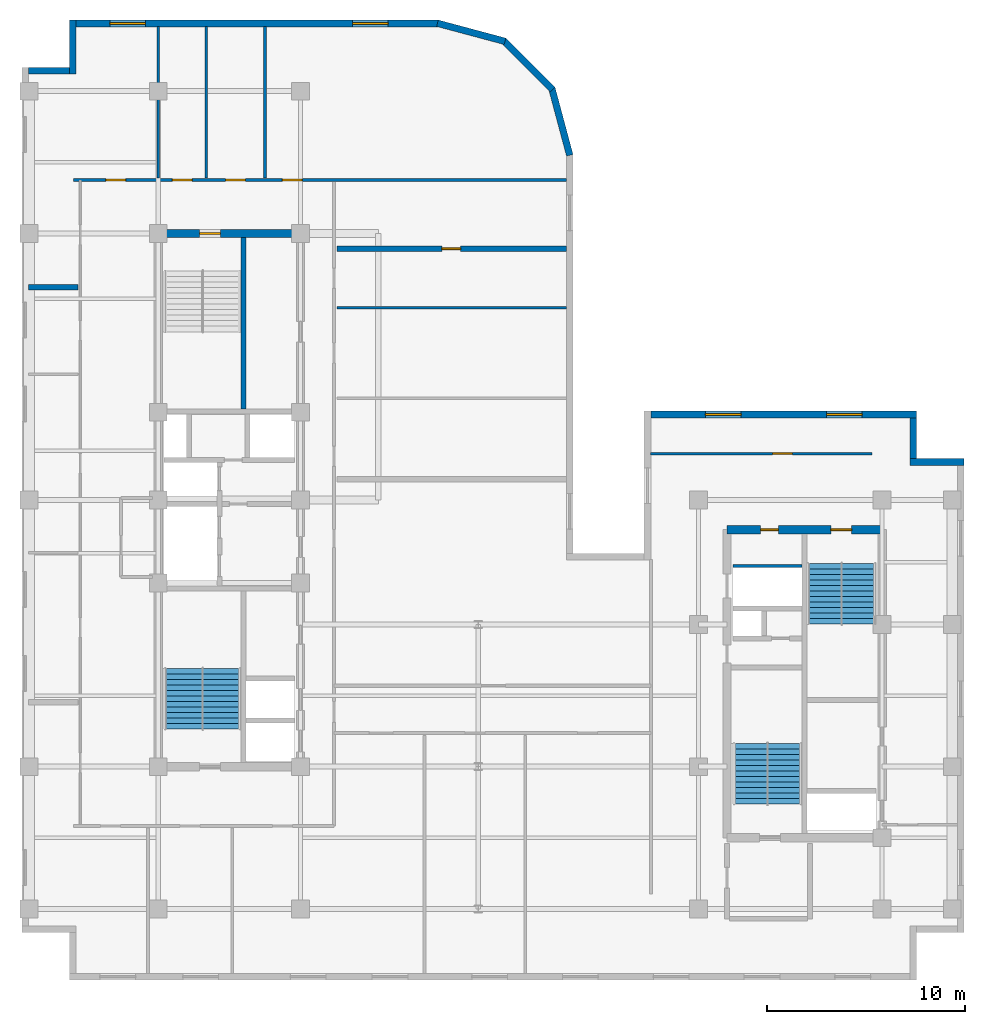
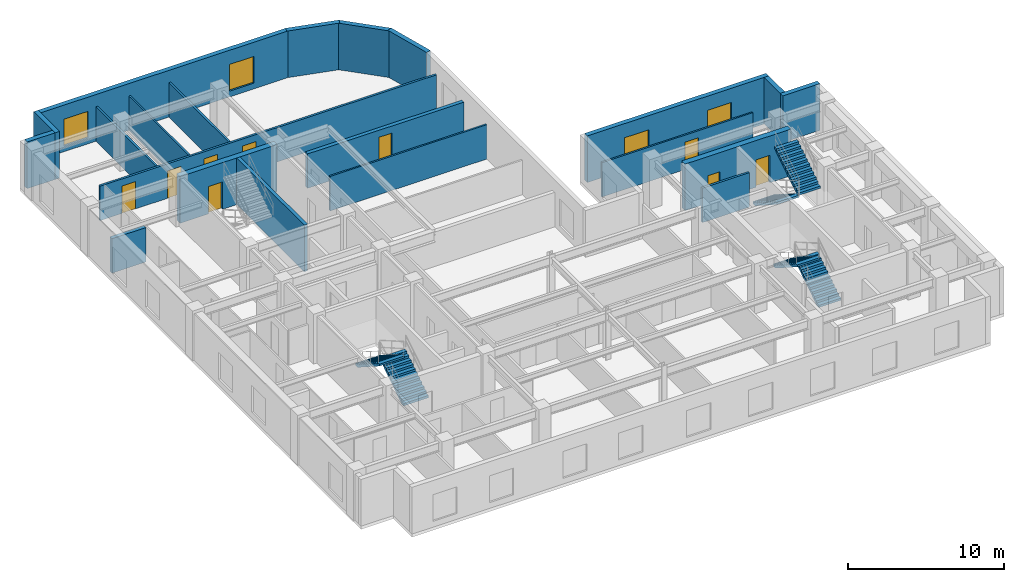
# One storey, part 6 of 10: 21 walls, 9 doors, 6 stair flights, 4 windows, 13 openings, 3 elements without a shape of their own.
"""IFC4 building model written with IfcOpenShell, lengths in metres."""

from ifc_helpers import new_model, entity, si_unit, converted_unit, direction, frame, origin_with_axes, origin_2d_with_axis, place, context, subcontext, project, spatial, polyline, rectangle, outline, extrude, material, layer, layer_set, type_object, element, fill, aggregate, save


model = new_model("IFC4")

# Units and contexts
model_context = context("Model", 3, precision=1e-05, world=origin_with_axes(), true_north=direction((0.0, 1.0)))
body_context = subcontext(model_context, "Body", "Model", "MODEL_VIEW")
ifc_project = project(units=[si_unit("LENGTHUNIT", "METRE"), si_unit("AREAUNIT", "SQUARE_METRE"), si_unit("VOLUMEUNIT", "CUBIC_METRE"), converted_unit("PLANEANGLEUNIT", "DEGREE", entity("IfcPlaneAngleMeasure", 0.017453292519943295), si_unit("PLANEANGLEUNIT", "RADIAN"), dimensions=[0, 0, 0, 0, 0, 0, 0]), si_unit("MASSUNIT", "GRAM", prefix="KILO"), si_unit("THERMODYNAMICTEMPERATUREUNIT", "KELVIN")], contexts=[model_context])

# Site, building, storey
site_placement = place(None, origin_with_axes())
site = spatial("IfcSite", under=ifc_project, at=site_placement, CompositionType="ELEMENT")
building_placement = place(site_placement, origin_with_axes())
building = spatial("IfcBuilding", under=site, at=building_placement, Name="Varnlund Millrace Tower", CompositionType="ELEMENT")
storey_placement = place(building_placement, frame((0.0, 0.0, 232.5), z_axis=(0.0, 0.0, 1.0), x_axis=(1.0, 0.0, 0.0)))
storey = spatial("IfcBuildingStorey", under=building, at=storey_placement, Name="L57", CompositionType="ELEMENT", Elevation=232.5)

# Wall, opening, door
ifc_material_1 = material(Name="Concrete C60/75", Category="concrete")
ifc_layer_1 = layer(ifc_material_1, 0.42, Name="Concrete C60/75")
ifc_layer_set_1 = layer_set([ifc_layer_1], Name="Concrete C60/75")
wall_type_1 = type_object("IfcWallType", Name="Type-CoreWall-Shear-420-C60", PredefinedType="SHEAR", material=ifc_layer_set_1)
wall_1_placement = place(storey_placement, frame((11.4, 37.8, 0.0), z_axis=(0.0, 0.0, 1.0), x_axis=(1.0, 0.0, 0.0)))
wall_1 = element("IfcWall", 1, at=wall_1_placement, inside=storey, type_object=wall_type_1, Name="Type-CoreWall-Shear-420-C60", PredefinedType="SHEAR", context=body_context, shape_type="SweptSolid", body=[
    extrude(outline(polyline([(0.0, -0.21), (7.2, -0.21), (7.2, 0.21), (0.0, 0.21), (0.0, -0.21)])), origin_with_axes(), (0.0, 0.0, 1.0), 3.66),
])
opening_1_placement = place(wall_1_placement, frame((2.625, 0.0, 0.0), z_axis=(0.0, 0.0, 1.0), x_axis=(1.0, 0.0, 0.0)))
opening_1 = element("IfcOpeningElement", 2, at=opening_1_placement, cuts=wall_1, Name="Opening L57:DR-STA2", PredefinedType="OPENING", context=body_context, shape_type="SweptSolid", body=[
    extrude(rectangle(XDim=1.05, YDim=0.44, at=origin_2d_with_axis()), origin_with_axes(), (0.0, 0.0, 1.0), 2.15),
])
ifc_material_2 = material(Name="Fire-rated hollow steel door", Category="steel")
door_type_1 = type_object("IfcDoorType", Name="Type-FireDoor-Stair-1050X2150", OperationType="NOTDEFINED", PredefinedType="DOOR", material=ifc_material_2)
door_1_placement = place(wall_1_placement, frame((2.625, 0.0, 0.0), z_axis=(0.0, 0.0, 1.0), x_axis=(1.0, 0.0, 0.0)))
door_1 = element("IfcDoor", 3, at=door_1_placement, inside=storey, type_object=door_type_1, Name="Type-FireDoor-Stair-1050X2150", OperationType="SINGLE_SWING_RIGHT", OverallHeight=2.15, OverallWidth=1.05, PredefinedType="DOOR", context=body_context, shape_type="SweptSolid", body=[
    extrude(rectangle(XDim=1.05, YDim=0.09, at=origin_2d_with_axis()), origin_with_axes(), (0.0, 0.0, 1.0), 2.15),
])
fill(opening_1, door_1)

# Wall, openings, doors
wall_2_placement = place(storey_placement, frame((40.2, 22.8, 0.0), z_axis=(0.0, 0.0, 1.0), x_axis=(1.0, 0.0, 0.0)))
wall_2 = element("IfcWall", 4, at=wall_2_placement, inside=storey, type_object=wall_type_1, Name="Type-CoreWall-Shear-420-C60", PredefinedType="SHEAR", context=body_context, shape_type="SweptSolid", body=[
    extrude(outline(polyline([(0.0, -0.21), (7.85, -0.21), (7.85, 0.21), (0.0, 0.21), (0.0, -0.21)])), origin_with_axes(), (0.0, 0.0, 1.0), 3.66),
])
opening_2_placement = place(wall_2_placement, frame((5.775, 0.0, 0.0), z_axis=(0.0, 0.0, 1.0), x_axis=(1.0, 0.0, 0.0)))
opening_2 = element("IfcOpeningElement", 5, at=opening_2_placement, cuts=wall_2, Name="Opening L57:DR-STB2", PredefinedType="OPENING", context=body_context, shape_type="SweptSolid", body=[
    extrude(rectangle(XDim=1.05, YDim=0.44, at=origin_2d_with_axis()), origin_with_axes(), (0.0, 0.0, 1.0), 2.15),
])
opening_3_placement = place(wall_2_placement, frame((2.15, 0.0, 0.0), z_axis=(0.0, 0.0, 1.0), x_axis=(1.0, 0.0, 0.0)))
opening_3 = element("IfcOpeningElement", 6, at=opening_3_placement, cuts=wall_2, Name="Opening L57:DR-CB-NW", PredefinedType="OPENING", context=body_context, shape_type="SweptSolid", body=[
    extrude(rectangle(XDim=0.9, YDim=0.44, at=origin_2d_with_axis()), origin_with_axes(), (0.0, 0.0, 1.0), 2.15),
])
ifc_material_3 = material(Name="Fire-rated hollow steel service closet door", Category="steel")
door_type_2 = type_object("IfcDoorType", Name="Type-FireDoor-Closet-900X2150", OperationType="NOTDEFINED", PredefinedType="DOOR", material=ifc_material_3)
door_2_placement = place(wall_2_placement, frame((2.15, 0.0, 0.0), z_axis=(0.0, 0.0, 1.0), x_axis=(1.0, 0.0, 0.0)))
door_2 = element("IfcDoor", 7, at=door_2_placement, inside=storey, type_object=door_type_2, Name="Type-FireDoor-Closet-900X2150", OperationType="SINGLE_SWING_LEFT", OverallHeight=2.15, OverallWidth=0.9, PredefinedType="DOOR", context=body_context, shape_type="SweptSolid", body=[
    extrude(rectangle(XDim=0.9, YDim=0.09, at=origin_2d_with_axis()), origin_with_axes(), (0.0, 0.0, 1.0), 2.15),
])
fill(opening_3, door_2)
door_3_placement = place(wall_2_placement, frame((5.775, 0.0, 0.0), z_axis=(0.0, 0.0, 1.0), x_axis=(1.0, 0.0, 0.0)))
door_3 = element("IfcDoor", 8, at=door_3_placement, inside=storey, type_object=door_type_1, Name="Type-FireDoor-Stair-1050X2150", OperationType="SINGLE_SWING_RIGHT", OverallHeight=2.15, OverallWidth=1.05, PredefinedType="DOOR", context=body_context, shape_type="SweptSolid", body=[
    extrude(rectangle(XDim=1.05, YDim=0.09, at=origin_2d_with_axis()), origin_with_axes(), (0.0, 0.0, 1.0), 2.15),
])
fill(opening_2, door_3)

# Wall, openings, windows
ifc_material_4 = material(Name="Precast concrete C50/60", Category="concrete")
ifc_layer_2 = layer(ifc_material_4, 0.34, Name="Precast concrete C50/60")
ifc_layer_set_2 = layer_set([ifc_layer_2], Name="Precast concrete C50/60")
wall_type_2 = type_object("IfcWallType", Name="Type-ExtWall-Precast-Upper-340", PredefinedType="SOLIDWALL", material=ifc_layer_set_2)
wall_3_placement = place(storey_placement, frame((36.34, 28.63, 0.0), z_axis=(0.0, 0.0, 1.0), x_axis=(1.0, 0.0, 0.0)))
wall_3 = element("IfcWall", 9, at=wall_3_placement, inside=storey, type_object=wall_type_2, Name="Type-ExtWall-Precast-Upper-340", PredefinedType="SOLIDWALL", context=body_context, shape_type="SweptSolid", body=[
    extrude(outline(polyline([(0.0, -0.17), (13.46, -0.17), (13.46, 0.17), (0.0, 0.17), (0.0, -0.17)])), origin_with_axes(), (0.0, 0.0, 1.0), 3.66),
])
opening_4_placement = place(wall_3_placement, frame((3.665, 0.0, 0.45), z_axis=(0.0, 0.0, 1.0), x_axis=(1.0, 0.0, 0.0)))
opening_4 = element("IfcOpeningElement", 10, at=opening_4_placement, cuts=wall_3, Name="Opening L57:WN-02", PredefinedType="OPENING", context=body_context, shape_type="SweptSolid", body=[
    extrude(rectangle(XDim=1.8, YDim=0.36, at=origin_2d_with_axis()), origin_with_axes(), (0.0, 0.0, 1.0), 2.1),
])
opening_5_placement = place(wall_3_placement, frame((9.795, 0.0, 0.45), z_axis=(0.0, 0.0, 1.0), x_axis=(1.0, 0.0, 0.0)))
opening_5 = element("IfcOpeningElement", 11, at=opening_5_placement, cuts=wall_3, Name="Opening L57:WN-03", PredefinedType="OPENING", context=body_context, shape_type="SweptSolid", body=[
    extrude(rectangle(XDim=1.8, YDim=0.36, at=origin_2d_with_axis()), origin_with_axes(), (0.0, 0.0, 1.0), 2.1),
])
ifc_material_5 = material(Name="Argon low-e triple glazing in thermally broken bronze frame", Category="glass")
window_type = type_object("IfcWindowType", Name="Type-Window-Punched-1800X2100", PartitioningType="SINGLE_PANEL", PredefinedType="WINDOW", material=ifc_material_5)
window_1_placement = place(wall_3_placement, frame((3.665, 0.0, 0.45), z_axis=(0.0, 0.0, 1.0), x_axis=(1.0, 0.0, 0.0)))
window_1 = element("IfcWindow", 12, at=window_1_placement, inside=storey, type_object=window_type, Name="Type-Window-Punched-1800X2100", OverallHeight=2.1, OverallWidth=1.8, PredefinedType="WINDOW", context=body_context, shape_type="SweptSolid", body=[
    extrude(rectangle(XDim=1.8, YDim=0.09, at=origin_2d_with_axis()), origin_with_axes(), (0.0, 0.0, 1.0), 2.1),
])
fill(opening_4, window_1)
window_2_placement = place(wall_3_placement, frame((9.795, 0.0, 0.45), z_axis=(0.0, 0.0, 1.0), x_axis=(1.0, 0.0, 0.0)))
window_2 = element("IfcWindow", 13, at=window_2_placement, inside=storey, type_object=window_type, Name="Type-Window-Punched-1800X2100", OverallHeight=2.1, OverallWidth=1.8, PredefinedType="WINDOW", context=body_context, shape_type="SweptSolid", body=[
    extrude(rectangle(XDim=1.8, YDim=0.09, at=origin_2d_with_axis()), origin_with_axes(), (0.0, 0.0, 1.0), 2.1),
])
fill(opening_5, window_2)

# Walls
wall_4_placement = place(storey_placement, frame((49.63, 28.46, 0.0), z_axis=(0.0, 0.0, 1.0), x_axis=(0.0, -1.0, 0.0)))
element("IfcWall", 14, at=wall_4_placement, inside=storey, type_object=wall_type_2, Name="Type-ExtWall-Precast-Upper-340", PredefinedType="SOLIDWALL", context=body_context, shape_type="SweptSolid", body=[
    extrude(outline(polyline([(0.0, -0.17), (2.06, -0.17), (2.06, 0.17), (0.0, 0.17), (0.0, -0.17)])), origin_with_axes(), (0.0, 0.0, 1.0), 3.66),
])
wall_5_placement = place(storey_placement, frame((49.46, 26.23, 0.0), z_axis=(0.0, 0.0, 1.0), x_axis=(1.0, 0.0, 0.0)))
element("IfcWall", 15, at=wall_5_placement, inside=storey, type_object=wall_type_2, Name="Type-ExtWall-Precast-Upper-340", PredefinedType="SOLIDWALL", context=body_context, shape_type="SweptSolid", body=[
    extrude(outline(polyline([(0.0, -0.17), (2.74, -0.17), (2.74, 0.17), (0.0, 0.17), (0.0, -0.17)])), origin_with_axes(), (0.0, 0.0, 1.0), 3.66),
])
wall_6_placement = place(storey_placement, frame((4.84, 46.03, 0.0), z_axis=(0.0, 0.0, 1.0), x_axis=(1.0, 0.0, 0.0)))
element("IfcWall", 16, at=wall_6_placement, inside=storey, type_object=wall_type_2, Name="Type-ExtWall-Precast-Upper-340", PredefinedType="SOLIDWALL", context=body_context, shape_type="SweptSolid", body=[
    extrude(outline(polyline([(0.0, -0.17), (2.06, -0.17), (2.06, 0.17), (0.0, 0.17), (0.0, -0.17)])), origin_with_axes(), (0.0, 0.0, 1.0), 3.66),
])
wall_7_placement = place(storey_placement, frame((7.07, 45.86, 0.0), z_axis=(0.0, 0.0, 1.0), x_axis=(0.0, 1.0, 0.0)))
element("IfcWall", 17, at=wall_7_placement, inside=storey, type_object=wall_type_2, Name="Type-ExtWall-Precast-Upper-340", PredefinedType="SOLIDWALL", context=body_context, shape_type="SweptSolid", body=[
    extrude(outline(polyline([(0.0, -0.17), (2.74, -0.17), (2.74, 0.17), (0.0, 0.17), (0.0, -0.17)])), origin_with_axes(), (0.0, 0.0, 1.0), 3.66),
])

# Wall, openings, windows
wall_8_placement = place(storey_placement, frame((7.24, 48.43, 0.0), z_axis=(0.0, 0.0, 1.0), x_axis=(1.0, 0.0, 0.0)))
wall_8 = element("IfcWall", 18, at=wall_8_placement, inside=storey, type_object=wall_type_2, Name="Type-ExtWall-Precast-Upper-340", PredefinedType="SOLIDWALL", context=body_context, shape_type="SweptSolid", body=[
    extrude(outline(polyline([(0.0, -0.17), (18.36, -0.17), (18.36, 0.17), (0.0, 0.17), (0.0, -0.17)])), origin_with_axes(), (0.0, 0.0, 1.0), 3.66),
])
opening_6_placement = place(wall_8_placement, frame((2.61, 0.0, 0.45), z_axis=(0.0, 0.0, 1.0), x_axis=(1.0, 0.0, 0.0)))
opening_6 = element("IfcOpeningElement", 19, at=opening_6_placement, cuts=wall_8, Name="Opening L57:WN-22", PredefinedType="OPENING", context=body_context, shape_type="SweptSolid", body=[
    extrude(rectangle(XDim=1.8, YDim=0.36, at=origin_2d_with_axis()), origin_with_axes(), (0.0, 0.0, 1.0), 2.1),
])
opening_7_placement = place(wall_8_placement, frame((14.9, 0.0, 0.45), z_axis=(0.0, 0.0, 1.0), x_axis=(1.0, 0.0, 0.0)))
opening_7 = element("IfcOpeningElement", 20, at=opening_7_placement, cuts=wall_8, Name="Opening L57:WN-23", PredefinedType="OPENING", context=body_context, shape_type="SweptSolid", body=[
    extrude(rectangle(XDim=1.8, YDim=0.36, at=origin_2d_with_axis()), origin_with_axes(), (0.0, 0.0, 1.0), 2.1),
])
window_3_placement = place(wall_8_placement, frame((2.61, 0.0, 0.45), z_axis=(0.0, 0.0, 1.0), x_axis=(1.0, 0.0, 0.0)))
window_3 = element("IfcWindow", 21, at=window_3_placement, inside=storey, type_object=window_type, Name="Type-Window-Punched-1800X2100", OverallHeight=2.1, OverallWidth=1.8, PredefinedType="WINDOW", context=body_context, shape_type="SweptSolid", body=[
    extrude(rectangle(XDim=1.8, YDim=0.09, at=origin_2d_with_axis()), origin_with_axes(), (0.0, 0.0, 1.0), 2.1),
])
fill(opening_6, window_3)
window_4_placement = place(wall_8_placement, frame((14.9, 0.0, 0.45), z_axis=(0.0, 0.0, 1.0), x_axis=(1.0, 0.0, 0.0)))
window_4 = element("IfcWindow", 22, at=window_4_placement, inside=storey, type_object=window_type, Name="Type-Window-Punched-1800X2100", OverallHeight=2.1, OverallWidth=1.8, PredefinedType="WINDOW", context=body_context, shape_type="SweptSolid", body=[
    extrude(rectangle(XDim=1.8, YDim=0.09, at=origin_2d_with_axis()), origin_with_axes(), (0.0, 0.0, 1.0), 2.1),
])
fill(opening_7, window_4)

# Walls
wall_9_placement = place(storey_placement, frame((25.537, 48.441, 0.0), z_axis=(0.0, 0.0, 1.0), x_axis=(0.965934, -0.258788, 0.0)))
element("IfcWall", 23, at=wall_9_placement, inside=storey, type_object=wall_type_2, Name="Type-ExtWall-Precast-Upper-340", PredefinedType="SOLIDWALL", context=body_context, shape_type="SweptSolid", body=[
    extrude(outline(polyline([(0.0, -0.17), (3.539579, -0.17), (3.539579, 0.17), (0.0, 0.17), (0.0, -0.17)])), origin_with_axes(), (0.0, 0.0, 1.0), 3.66),
])
wall_10_placement = place(storey_placement, frame((28.866, 47.583, 0.0), z_axis=(0.0, 0.0, 1.0), x_axis=(0.707107, -0.707107, 0.0)))
element("IfcWall", 24, at=wall_10_placement, inside=storey, type_object=wall_type_2, Name="Type-ExtWall-Precast-Upper-340", PredefinedType="SOLIDWALL", context=body_context, shape_type="SweptSolid", body=[
    extrude(outline(polyline([(0.0, -0.17), (3.539777, -0.17), (3.539777, 0.17), (0.0, 0.17), (0.0, -0.17)])), origin_with_axes(), (0.0, 0.0, 1.0), 3.66),
])
wall_11_placement = place(storey_placement, frame((31.32, 45.175, 0.0), z_axis=(0.0, 0.0, 1.0), x_axis=(0.258788, -0.965934, 0.0)))
element("IfcWall", 25, at=wall_11_placement, inside=storey, type_object=wall_type_2, Name="Type-ExtWall-Precast-Upper-340", PredefinedType="SOLIDWALL", context=body_context, shape_type="SweptSolid", body=[
    extrude(outline(polyline([(0.0, -0.17), (3.539579, -0.17), (3.539579, 0.17), (0.0, 0.17), (0.0, -0.17)])), origin_with_axes(), (0.0, 0.0, 1.0), 3.66),
])
ifc_material_6 = material(Name="Double-stud STC-60 conference acoustic partition", Category="gypsum")
ifc_layer_3 = layer(ifc_material_6, 0.28, Name="Double-stud STC-60 conference acoustic partition")
ifc_layer_set_3 = layer_set([ifc_layer_3], Name="Double-stud STC-60 conference acoustic partition")
wall_type_3 = type_object("IfcWallType", Name="Type-Partition-Acoustic-280", PredefinedType="PARTITIONING", material=ifc_layer_set_3)
wall_12_placement = place(storey_placement, frame((4.835, 35.082, 0.0), z_axis=(0.0, 0.0, 1.0), x_axis=(1.0, 0.0, 0.0)))
element("IfcWall", 26, at=wall_12_placement, inside=storey, type_object=wall_type_3, Name="Type-Partition-Acoustic-280", PredefinedType="PARTITIONING", context=body_context, shape_type="SweptSolid", body=[
    extrude(outline(polyline([(0.0, -0.14), (2.495, -0.14), (2.495, 0.14), (0.0, 0.14), (0.0, -0.14)])), origin_with_axes(), (0.0, 0.0, 1.0), 2.7),
])

# Wall, opening, door
wall_13_placement = place(storey_placement, frame((20.45, 37.028, 0.0), z_axis=(0.0, 0.0, 1.0), x_axis=(1.0, 0.0, 0.0)))
wall_13 = element("IfcWall", 27, at=wall_13_placement, inside=storey, type_object=wall_type_3, Name="Type-Partition-Acoustic-280", PredefinedType="PARTITIONING", context=body_context, shape_type="SweptSolid", body=[
    extrude(outline(polyline([(0.0, -0.14), (11.615, -0.14), (11.615, 0.14), (0.0, 0.14), (0.0, -0.14)])), origin_with_axes(), (0.0, 0.0, 1.0), 2.7),
])
opening_8_placement = place(wall_13_placement, frame((5.785, 0.0, 0.0), z_axis=(0.0, 0.0, 1.0), x_axis=(1.0, 0.0, 0.0)))
opening_8 = element("IfcOpeningElement", 28, at=opening_8_placement, cuts=wall_13, Name="Opening L57:DR-FLR-05", PredefinedType="OPENING", context=body_context, shape_type="SweptSolid", body=[
    extrude(rectangle(XDim=0.95, YDim=0.3, at=origin_2d_with_axis()), origin_with_axes(), (0.0, 0.0, 1.0), 2.15),
])
ifc_material_7 = material(Name="Solid-core acoustic office door")
door_type_3 = type_object("IfcDoorType", Name="Type-IntDoor-Tenant-950X2150", OperationType="NOTDEFINED", PredefinedType="DOOR", material=ifc_material_7)
door_4_placement = place(wall_13_placement, frame((5.785, 0.0, 0.0), z_axis=(0.0, 0.0, 1.0), x_axis=(1.0, 0.0, 0.0)))
door_4 = element("IfcDoor", 29, at=door_4_placement, inside=storey, type_object=door_type_3, Name="Type-IntDoor-Tenant-950X2150", OperationType="SINGLE_SWING_LEFT", OverallHeight=2.15, OverallWidth=0.95, PredefinedType="DOOR", context=body_context, shape_type="SweptSolid", body=[
    extrude(rectangle(XDim=0.95, YDim=0.09, at=origin_2d_with_axis()), origin_with_axes(), (0.0, 0.0, 1.0), 2.15),
])
fill(opening_8, door_4)

# Wall
ifc_material_8 = material(Name="Fire-rated gypsum board on cold-formed steel framing", Category="steel")
ifc_layer_4 = layer(ifc_material_8, 0.16, Name="Fire-rated gypsum board on cold-formed steel framing")
ifc_layer_set_4 = layer_set([ifc_layer_4], Name="Fire-rated gypsum board on cold-formed steel framing")
wall_type_4 = type_object("IfcWallType", Name="Type-Partition-Corridor-160", PredefinedType="PARTITIONING", material=ifc_layer_set_4)
wall_14_placement = place(storey_placement, frame((40.5, 20.96, 0.0), z_axis=(0.0, 0.0, 1.0), x_axis=(1.0, 0.0, 0.0)))
element("IfcWall", 30, at=wall_14_placement, inside=storey, type_object=wall_type_4, Name="Type-Partition-Corridor-160", PredefinedType="PARTITIONING", context=body_context, shape_type="SweptSolid", body=[
    extrude(outline(polyline([(0.0, -0.08), (3.5, -0.08), (3.5, 0.08), (0.0, 0.08), (0.0, -0.08)])), origin_with_axes(), (0.0, 0.0, 1.0), 2.7),
])

# Wall, openings, doors
wall_15_placement = place(storey_placement, frame((7.1, 40.5, 0.0), z_axis=(0.0, 0.0, 1.0), x_axis=(1.0, 0.0, 0.0)))
wall_15 = element("IfcWall", 31, at=wall_15_placement, inside=storey, type_object=wall_type_4, Name="Type-Partition-Corridor-160", PredefinedType="PARTITIONING", context=body_context, shape_type="SweptSolid", body=[
    extrude(outline(polyline([(0.0, -0.08), (24.965, -0.08), (24.965, 0.08), (0.0, 0.08), (0.0, -0.08)])), origin_with_axes(), (0.0, 0.0, 1.0), 2.7),
])
opening_9_placement = place(wall_15_placement, frame((2.145, 0.0, 0.0), z_axis=(0.0, 0.0, 1.0), x_axis=(1.0, 0.0, 0.0)))
opening_9 = element("IfcOpeningElement", 32, at=opening_9_placement, cuts=wall_15, Name="Opening L57:DR-WAN-01", PredefinedType="OPENING", context=body_context, shape_type="SweptSolid", body=[
    extrude(rectangle(XDim=1.0, YDim=0.18, at=origin_2d_with_axis()), origin_with_axes(), (0.0, 0.0, 1.0), 2.15),
])
opening_10_placement = place(wall_15_placement, frame((5.514, 0.0, 0.0), z_axis=(0.0, 0.0, 1.0), x_axis=(1.0, 0.0, 0.0)))
opening_10 = element("IfcOpeningElement", 33, at=opening_10_placement, cuts=wall_15, Name="Opening L57:DR-WAN-02", PredefinedType="OPENING", context=body_context, shape_type="SweptSolid", body=[
    extrude(rectangle(XDim=1.0, YDim=0.18, at=origin_2d_with_axis()), origin_with_axes(), (0.0, 0.0, 1.0), 2.15),
])
opening_11_placement = place(wall_15_placement, frame((8.217, 0.0, 0.0), z_axis=(0.0, 0.0, 1.0), x_axis=(1.0, 0.0, 0.0)))
opening_11 = element("IfcOpeningElement", 34, at=opening_11_placement, cuts=wall_15, Name="Opening L57:DR-WAN-03", PredefinedType="OPENING", context=body_context, shape_type="SweptSolid", body=[
    extrude(rectangle(XDim=1.0, YDim=0.18, at=origin_2d_with_axis()), origin_with_axes(), (0.0, 0.0, 1.0), 2.15),
])
opening_12_placement = place(wall_15_placement, frame((11.083, 0.0, 0.0), z_axis=(0.0, 0.0, 1.0), x_axis=(1.0, 0.0, 0.0)))
opening_12 = element("IfcOpeningElement", 35, at=opening_12_placement, cuts=wall_15, Name="Opening L57:DR-WAN-04", PredefinedType="OPENING", context=body_context, shape_type="SweptSolid", body=[
    extrude(rectangle(XDim=1.0, YDim=0.18, at=origin_2d_with_axis()), origin_with_axes(), (0.0, 0.0, 1.0), 2.15),
])
ifc_material_9 = material(Name="Solid-core white oak and bronze frame door")
door_type_4 = type_object("IfcDoorType", Name="Type-IntDoor-Office-1000X2150", OperationType="NOTDEFINED", PredefinedType="DOOR", material=ifc_material_9)
door_5_placement = place(wall_15_placement, frame((2.145, 0.0, 0.0), z_axis=(0.0, 0.0, 1.0), x_axis=(1.0, 0.0, 0.0)))
door_5 = element("IfcDoor", 36, at=door_5_placement, inside=storey, type_object=door_type_4, Name="Type-IntDoor-Office-1000X2150", OperationType="SINGLE_SWING_LEFT", OverallHeight=2.15, OverallWidth=1.0, PredefinedType="DOOR", context=body_context, shape_type="SweptSolid", body=[
    extrude(rectangle(XDim=1.0, YDim=0.09, at=origin_2d_with_axis()), origin_with_axes(), (0.0, 0.0, 1.0), 2.15),
])
fill(opening_9, door_5)
door_6_placement = place(wall_15_placement, frame((5.514, 0.0, 0.0), z_axis=(0.0, 0.0, 1.0), x_axis=(1.0, 0.0, 0.0)))
door_6 = element("IfcDoor", 37, at=door_6_placement, inside=storey, type_object=door_type_4, Name="Type-IntDoor-Office-1000X2150", OperationType="SINGLE_SWING_RIGHT", OverallHeight=2.15, OverallWidth=1.0, PredefinedType="DOOR", context=body_context, shape_type="SweptSolid", body=[
    extrude(rectangle(XDim=1.0, YDim=0.09, at=origin_2d_with_axis()), origin_with_axes(), (0.0, 0.0, 1.0), 2.15),
])
fill(opening_10, door_6)
door_7_placement = place(wall_15_placement, frame((8.217, 0.0, 0.0), z_axis=(0.0, 0.0, 1.0), x_axis=(1.0, 0.0, 0.0)))
door_7 = element("IfcDoor", 38, at=door_7_placement, inside=storey, type_object=door_type_4, Name="Type-IntDoor-Office-1000X2150", OperationType="SINGLE_SWING_LEFT", OverallHeight=2.15, OverallWidth=1.0, PredefinedType="DOOR", context=body_context, shape_type="SweptSolid", body=[
    extrude(rectangle(XDim=1.0, YDim=0.09, at=origin_2d_with_axis()), origin_with_axes(), (0.0, 0.0, 1.0), 2.15),
])
fill(opening_11, door_7)
door_8_placement = place(wall_15_placement, frame((11.083, 0.0, 0.0), z_axis=(0.0, 0.0, 1.0), x_axis=(1.0, 0.0, 0.0)))
door_8 = element("IfcDoor", 39, at=door_8_placement, inside=storey, type_object=door_type_4, Name="Type-IntDoor-Office-1000X2150", OperationType="SINGLE_SWING_RIGHT", OverallHeight=2.15, OverallWidth=1.0, PredefinedType="DOOR", context=body_context, shape_type="SweptSolid", body=[
    extrude(rectangle(XDim=1.0, YDim=0.09, at=origin_2d_with_axis()), origin_with_axes(), (0.0, 0.0, 1.0), 2.15),
])
fill(opening_12, door_8)

# Walls
ifc_material_10 = material(Name="Acoustic STC-50 gypsum board partition", Category="gypsum")
ifc_layer_5 = layer(ifc_material_10, 0.15, Name="Acoustic STC-50 gypsum board partition")
ifc_layer_set_5 = layer_set([ifc_layer_5], Name="Acoustic STC-50 gypsum board partition")
wall_type_5 = type_object("IfcWallType", Name="Type-Partition-Demising-150", PredefinedType="PARTITIONING", material=ifc_layer_set_5)
for number, where, z_axis, x_axis, name in (
    (40, (11.4, 40.6, 0.0), (0.0, 0.0, 1.0), (0.0, 1.0, 0.0), "Type-Partition-Demising-150"),
    (41, (16.806, 40.6, 0.0), (0.0, 0.0, 1.0), (0.0, 1.0, 0.0), "Type-Partition-Demising-150"),
):
    element("IfcWall", number, at=place(storey_placement, frame(where, z_axis=z_axis, x_axis=x_axis)), inside=storey, type_object=wall_type_5, Name=name, PredefinedType="PARTITIONING", context=body_context, shape_type="SweptSolid", body=[
        extrude(outline(polyline([(0.0, -0.075), (7.665, -0.075), (7.665, 0.075), (0.0, 0.075), (0.0, -0.075)])), origin_with_axes(), (0.0, 0.0, 1.0), 2.7),
    ])
ifc_material_11 = material(Name="Gypsum board tenant partition", Category="gypsum")
ifc_layer_6 = layer(ifc_material_11, 0.125, Name="Gypsum board tenant partition")
ifc_layer_set_6 = layer_set([ifc_layer_6], Name="Gypsum board tenant partition")
wall_type_6 = type_object("IfcWallType", Name="Type-Partition-Tenant-125", PredefinedType="PARTITIONING", material=ifc_layer_set_6)
wall_16_placement = place(storey_placement, frame((13.828, 40.6, 0.0), z_axis=(0.0, 0.0, 1.0), x_axis=(0.0, 1.0, 0.0)))
element("IfcWall", 42, at=wall_16_placement, inside=storey, type_object=wall_type_6, Name="Type-Partition-Tenant-125", PredefinedType="PARTITIONING", context=body_context, shape_type="SweptSolid", body=[
    extrude(outline(polyline([(0.0, -0.0625), (7.665, -0.0625), (7.665, 0.0625), (0.0, 0.0625), (0.0, -0.0625)])), origin_with_axes(), (0.0, 0.0, 1.0), 2.7),
])
wall_17_placement = place(storey_placement, frame((20.45, 34.036, 0.0), z_axis=(0.0, 0.0, 1.0), x_axis=(1.0, 0.0, 0.0)))
element("IfcWall", 43, at=wall_17_placement, inside=storey, type_object=wall_type_6, Name="Type-Partition-Tenant-125", PredefinedType="PARTITIONING", context=body_context, shape_type="SweptSolid", body=[
    extrude(outline(polyline([(0.0, -0.0625), (11.615, -0.0625), (11.615, 0.0625), (0.0, 0.0625), (0.0, -0.0625)])), origin_with_axes(), (0.0, 0.0, 1.0), 2.7),
])

# Wall, opening, door
wall_18_placement = place(storey_placement, frame((36.335, 26.65, 0.0), z_axis=(0.0, 0.0, 1.0), x_axis=(1.0, 0.0, 0.0)))
wall_18 = element("IfcWall", 44, at=wall_18_placement, inside=storey, type_object=wall_type_6, Name="Type-Partition-Tenant-125", PredefinedType="PARTITIONING", context=body_context, shape_type="SweptSolid", body=[
    extrude(outline(polyline([(0.0, -0.0625), (11.195, -0.0625), (11.195, 0.0625), (0.0, 0.0625), (0.0, -0.0625)])), origin_with_axes(), (0.0, 0.0, 1.0), 2.7),
])
opening_13_placement = place(wall_18_placement, frame((6.665, 0.0, 0.0), z_axis=(0.0, 0.0, 1.0), x_axis=(1.0, 0.0, 0.0)))
opening_13 = element("IfcOpeningElement", 45, at=opening_13_placement, cuts=wall_18, Name="Opening L57:DR-WBN-01", PredefinedType="OPENING", context=body_context, shape_type="SweptSolid", body=[
    extrude(rectangle(XDim=1.0, YDim=0.145, at=origin_2d_with_axis()), origin_with_axes(), (0.0, 0.0, 1.0), 2.15),
])
door_9_placement = place(wall_18_placement, frame((6.665, 0.0, 0.0), z_axis=(0.0, 0.0, 1.0), x_axis=(1.0, 0.0, 0.0)))
door_9 = element("IfcDoor", 46, at=door_9_placement, inside=storey, type_object=door_type_4, Name="Type-IntDoor-Office-1000X2150", OperationType="SINGLE_SWING_RIGHT", OverallHeight=2.15, OverallWidth=1.0, PredefinedType="DOOR", context=body_context, shape_type="SweptSolid", body=[
    extrude(rectangle(XDim=1.0, YDim=0.075, at=origin_2d_with_axis()), origin_with_axes(), (0.0, 0.0, 1.0), 2.15),
])
fill(opening_13, door_9)

# Wall
ifc_layer_7 = layer(ifc_material_1, 0.25, Name="Concrete C60/75")
ifc_layer_set_7 = layer_set([ifc_layer_7], Name="Concrete C60/75")
wall_type_7 = type_object("IfcWallType", Name="Type-StairWall-Shear-250", PredefinedType="SHEAR", material=ifc_layer_set_7)
wall_19_placement = place(storey_placement, frame((15.725, 28.9, 0.0), z_axis=(0.0, 0.0, 1.0), x_axis=(0.0, 1.0, 0.0)))
element("IfcWall", 47, at=wall_19_placement, inside=storey, type_object=wall_type_7, Name="Type-StairWall-Shear-250", PredefinedType="SHEAR", context=body_context, shape_type="SweptSolid", body=[
    extrude(outline(polyline([(0.0, -0.125), (8.69, -0.125), (8.69, 0.125), (0.0, 0.125), (0.0, -0.125)])), origin_with_axes(), (0.0, 0.0, 1.0), 3.66),
])

# Stair, stair flights
ifc_material_12 = material(Name="Concrete C50/60", Category="concrete")
stair_type_1 = type_object("IfcStairType", Name="Type-Stair-Dogleg-165-390", PredefinedType="HALF_TURN_STAIR", material=ifc_material_12)
stair_1_placement = place(storey_placement, origin_with_axes())
stair_1 = element("IfcStair", 48, at=stair_1_placement, inside=storey, type_object=stair_type_1, Name="Type-Stair-Dogleg-165-390", PredefinedType="HALF_TURN_STAIR")
stair_flight_type_1 = type_object("IfcStairFlightType", Name="Type-Dogleg-Run-165-390", PredefinedType="STRAIGHT", material=ifc_material_4)
stair_flight_1_placement = place(storey_placement, frame((42.225, 8.9, 0.0), z_axis=(1.0, 0.0, 0.0), x_axis=(0.0, 1.0, 0.0)))
stair_flight_1 = element("IfcStairFlight", 49, at=stair_flight_1_placement, type_object=stair_flight_type_1, Name="ST-B1 flight 1", NumberOfRisers=11, NumberOfTreads=11, PredefinedType="STRAIGHT", RiserHeight=0.177273, TreadLength=0.28, context=body_context, shape_type="SweptSolid", body=[
    extrude(outline(polyline([(0.0, 0.0), (0.0, 0.177273), (0.28, 0.177273), (0.28, 0.354545), (0.56, 0.354545), (0.56, 0.531818), (0.84, 0.531818), (0.84, 0.709091), (1.12, 0.709091), (1.12, 0.886364), (1.4, 0.886364), (1.4, 1.063636), (1.68, 1.063636), (1.68, 1.240909), (1.96, 1.240909), (1.96, 1.418182), (2.24, 1.418182), (2.24, 1.595454), (2.52, 1.595454), (2.52, 1.772727), (2.8, 1.772727), (2.8, 1.95), (3.08, 1.95), (3.08, 1.8), (0.28, 0.0), (0.0, 0.0)])), origin_with_axes(), (0.0, 0.0, 1.0), 1.65),
])
stair_flight_2_placement = place(storey_placement, frame((42.275, 11.98, 1.95), z_axis=(-1.0, 0.0, 0.0), x_axis=(0.0, -1.0, 0.0)))
stair_flight_2 = element("IfcStairFlight", 50, at=stair_flight_2_placement, type_object=stair_flight_type_1, Name="ST-B1 flight 2", NumberOfRisers=11, NumberOfTreads=11, PredefinedType="STRAIGHT", RiserHeight=0.177273, TreadLength=0.28, context=body_context, shape_type="SweptSolid", body=[
    extrude(outline(polyline([(0.0, 0.0), (0.0, 0.177273), (0.28, 0.177273), (0.28, 0.354545), (0.56, 0.354545), (0.56, 0.531818), (0.84, 0.531818), (0.84, 0.709091), (1.12, 0.709091), (1.12, 0.886364), (1.4, 0.886364), (1.4, 1.063636), (1.68, 1.063636), (1.68, 1.240909), (1.96, 1.240909), (1.96, 1.418182), (2.24, 1.418182), (2.24, 1.595454), (2.52, 1.595454), (2.52, 1.772727), (2.8, 1.772727), (2.8, 1.95), (3.08, 1.95), (3.08, 1.8), (0.28, 0.0), (0.0, 0.0)])), origin_with_axes(), (0.0, 0.0, 1.0), 1.65),
])
aggregate(stair_1, [stair_flight_1, stair_flight_2])

stair_2_placement = place(storey_placement, origin_with_axes())
stair_2 = element("IfcStair", 51, at=stair_2_placement, inside=storey, type_object=stair_type_1, Name="Type-Stair-Dogleg-165-390", PredefinedType="HALF_TURN_STAIR")
stair_flight_3_placement = place(storey_placement, frame((46.025, 21.1, 0.0), z_axis=(-1.0, 0.0, 0.0), x_axis=(0.0, -1.0, 0.0)))
stair_flight_3 = element("IfcStairFlight", 52, at=stair_flight_3_placement, type_object=stair_flight_type_1, Name="ST-B2 flight 1", NumberOfRisers=11, NumberOfTreads=11, PredefinedType="STRAIGHT", RiserHeight=0.177273, TreadLength=0.28, context=body_context, shape_type="SweptSolid", body=[
    extrude(outline(polyline([(0.0, 0.0), (0.0, 0.177273), (0.28, 0.177273), (0.28, 0.354545), (0.56, 0.354545), (0.56, 0.531818), (0.84, 0.531818), (0.84, 0.709091), (1.12, 0.709091), (1.12, 0.886364), (1.4, 0.886364), (1.4, 1.063636), (1.68, 1.063636), (1.68, 1.240909), (1.96, 1.240909), (1.96, 1.418182), (2.24, 1.418182), (2.24, 1.595454), (2.52, 1.595454), (2.52, 1.772727), (2.8, 1.772727), (2.8, 1.95), (3.08, 1.95), (3.08, 1.8), (0.28, 0.0), (0.0, 0.0)])), origin_with_axes(), (0.0, 0.0, 1.0), 1.65),
])
stair_flight_4_placement = place(storey_placement, frame((45.975, 18.02, 1.95), z_axis=(1.0, 0.0, 0.0), x_axis=(0.0, 1.0, 0.0)))
stair_flight_4 = element("IfcStairFlight", 53, at=stair_flight_4_placement, type_object=stair_flight_type_1, Name="ST-B2 flight 2", NumberOfRisers=11, NumberOfTreads=11, PredefinedType="STRAIGHT", RiserHeight=0.177273, TreadLength=0.28, context=body_context, shape_type="SweptSolid", body=[
    extrude(outline(polyline([(0.0, 0.0), (0.0, 0.177273), (0.28, 0.177273), (0.28, 0.354545), (0.56, 0.354545), (0.56, 0.531818), (0.84, 0.531818), (0.84, 0.709091), (1.12, 0.709091), (1.12, 0.886364), (1.4, 0.886364), (1.4, 1.063636), (1.68, 1.063636), (1.68, 1.240909), (1.96, 1.240909), (1.96, 1.418182), (2.24, 1.418182), (2.24, 1.595454), (2.52, 1.595454), (2.52, 1.772727), (2.8, 1.772727), (2.8, 1.95), (3.08, 1.95), (3.08, 1.8), (0.28, 0.0), (0.0, 0.0)])), origin_with_axes(), (0.0, 0.0, 1.0), 1.65),
])
aggregate(stair_2, [stair_flight_3, stair_flight_4])

stair_type_2 = type_object("IfcStairType", Name="Type-Stair-Dogleg-185-390", PredefinedType="HALF_TURN_STAIR", material=ifc_material_12)
stair_3_placement = place(storey_placement, origin_with_axes())
stair_3 = element("IfcStair", 54, at=stair_3_placement, inside=storey, type_object=stair_type_2, Name="Type-Stair-Dogleg-185-390", PredefinedType="HALF_TURN_STAIR")
stair_flight_type_2 = type_object("IfcStairFlightType", Name="Type-Dogleg-Run-185-390", PredefinedType="STRAIGHT", material=ifc_material_4)
stair_flight_5_placement = place(storey_placement, frame((13.625, 12.7, 0.0), z_axis=(1.0, 0.0, 0.0), x_axis=(0.0, 1.0, 0.0)))
stair_flight_5 = element("IfcStairFlight", 55, at=stair_flight_5_placement, type_object=stair_flight_type_2, Name="ST-A1 flight 1", NumberOfRisers=11, NumberOfTreads=11, PredefinedType="STRAIGHT", RiserHeight=0.177273, TreadLength=0.28, context=body_context, shape_type="SweptSolid", body=[
    extrude(outline(polyline([(0.0, 0.0), (0.0, 0.177273), (0.28, 0.177273), (0.28, 0.354545), (0.56, 0.354545), (0.56, 0.531818), (0.84, 0.531818), (0.84, 0.709091), (1.12, 0.709091), (1.12, 0.886364), (1.4, 0.886364), (1.4, 1.063636), (1.68, 1.063636), (1.68, 1.240909), (1.96, 1.240909), (1.96, 1.418182), (2.24, 1.418182), (2.24, 1.595454), (2.52, 1.595454), (2.52, 1.772727), (2.8, 1.772727), (2.8, 1.95), (3.08, 1.95), (3.08, 1.8), (0.28, 0.0), (0.0, 0.0)])), origin_with_axes(), (0.0, 0.0, 1.0), 1.85),
])
stair_flight_6_placement = place(storey_placement, frame((13.675, 15.78, 1.95), z_axis=(-1.0, 0.0, 0.0), x_axis=(0.0, -1.0, 0.0)))
stair_flight_6 = element("IfcStairFlight", 56, at=stair_flight_6_placement, type_object=stair_flight_type_2, Name="ST-A1 flight 2", NumberOfRisers=11, NumberOfTreads=11, PredefinedType="STRAIGHT", RiserHeight=0.177273, TreadLength=0.28, context=body_context, shape_type="SweptSolid", body=[
    extrude(outline(polyline([(0.0, 0.0), (0.0, 0.177273), (0.28, 0.177273), (0.28, 0.354545), (0.56, 0.354545), (0.56, 0.531818), (0.84, 0.531818), (0.84, 0.709091), (1.12, 0.709091), (1.12, 0.886364), (1.4, 0.886364), (1.4, 1.063636), (1.68, 1.063636), (1.68, 1.240909), (1.96, 1.240909), (1.96, 1.418182), (2.24, 1.418182), (2.24, 1.595454), (2.52, 1.595454), (2.52, 1.772727), (2.8, 1.772727), (2.8, 1.95), (3.08, 1.95), (3.08, 1.8), (0.28, 0.0), (0.0, 0.0)])), origin_with_axes(), (0.0, 0.0, 1.0), 1.85),
])
aggregate(stair_3, [stair_flight_5, stair_flight_6])

save(model, "model.ifc")
